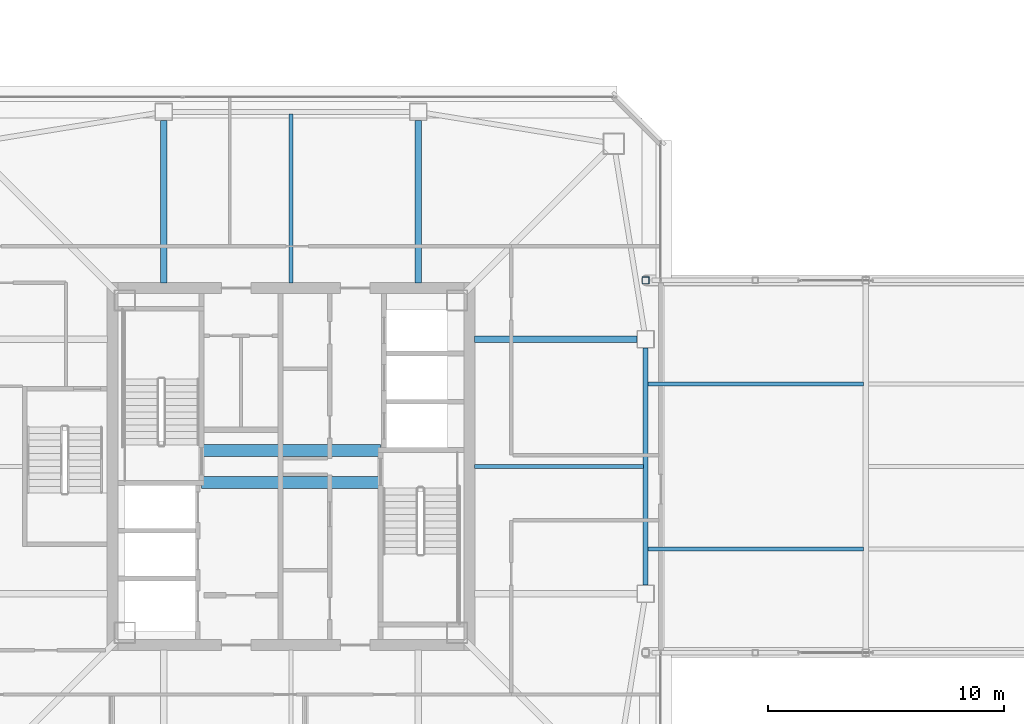
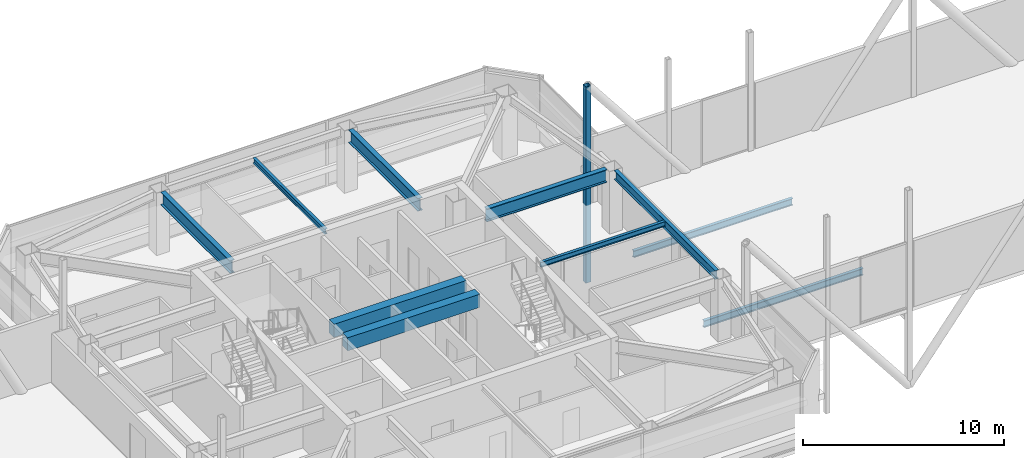
# One storey, part 15 of 53: 10 beams, 1 member.
"""IFC4 building model written with IfcOpenShell, lengths in metres."""

from ifc_helpers import new_model, si_unit, direction, frame, origin, origin_2d, place, context, subcontext, project, spatial, rectangle, hollow_rectangle, i_section, extrude, material, material_profile, profile_set, type_object, element, save


model = new_model("IFC4")

# Units and contexts
model_context = context("Model", 3, precision=1e-05, world=origin(), true_north=direction((0.0, 1.0)))
body_context = subcontext(model_context, "Body", "Model", "MODEL_VIEW")
ifc_project = project(units=[si_unit("LENGTHUNIT", "METRE"), si_unit("AREAUNIT", "SQUARE_METRE"), si_unit("VOLUMEUNIT", "CUBIC_METRE"), si_unit("PLANEANGLEUNIT", "RADIAN"), si_unit("MASSUNIT", "GRAM", prefix="KILO")], contexts=[model_context])

# Site, building, storey
site_placement = place(None, origin())
site = spatial("IfcSite", under=ifc_project, at=site_placement, CompositionType="ELEMENT")
building_placement = place(site_placement, origin())
building = spatial("IfcBuilding", under=site, at=building_placement, Name="Tashvorn Skyway Center", CompositionType="ELEMENT")
storey_placement = place(building_placement, frame((0.0, 0.0, 255.39990234375)))
storey = spatial("IfcBuildingStorey", under=building, at=storey_placement, Name="L69", CompositionType="ELEMENT", Elevation=255.39990234375)

# Beams
ifc_material_1 = material(Name="Steel ASTM A992 Grade 50", Category="steel")
ifc_material_profile_1 = material_profile(ifc_material_1, i_section(OverallWidth=0.26708984375, OverallDepth=0.779052734375, WebThickness=0.0166015625, FlangeThickness=0.030029296875, at=origin_2d()), Name="W30X148")
ifc_profile_set_1 = profile_set([ifc_material_profile_1], Name="Steel ASTM A992 Grade 50")
beam_type_1 = type_object("IfcBeamType", Name="BM-BEAM-W30X148", PredefinedType="BEAM", material=ifc_profile_set_1)
for number, where, z_axis, x_axis, name in (
    (1, (56.679931640625, 37.39990234375, 3.390625), (-1.0, 0.0, 0.0), (0.0, -1.0, 0.0), "Tower 1 L69 Primary Floor Girder FC-E2"),
    (2, (47.39990234375, 46.679931640625, 3.390625), (0.0, -1.0, 0.0), (1.0, 0.0, 0.0), "Tower 1 L69 Primary Floor Girder FC-N1"),
    (3, (36.60009765625, 46.679931640625, 3.390625), (0.0, -1.0, 0.0), (1.0, 0.0, 0.0), "Tower 1 L69 Primary Floor Girder FC-N2"),
):
    element("IfcBeam", number, at=place(storey_placement, frame(where, z_axis=z_axis, x_axis=x_axis)), inside=storey, type_object=beam_type_1, Name=name, PredefinedType="BEAM", context=body_context, shape_type="SweptSolid", body=[
        extrude(i_section(OverallWidth=0.26708984375, OverallDepth=0.779052734375, WebThickness=0.0166015625, FlangeThickness=0.030029296875, at=origin_2d()), origin(), (0.0, 0.0, 1.0), 6.89990234375),
    ])
ifc_material_profile_2 = material_profile(ifc_material_1, i_section(OverallWidth=0.1650390625, OverallDepth=0.31005859375, WebThickness=0.005859375, FlangeThickness=0.009765625, at=origin_2d()), Name="W12X26")
ifc_profile_set_2 = profile_set([ifc_material_profile_2], Name="Steel ASTM A992 Grade 50")
beam_type_2 = type_object("IfcBeamType", Name="BM-JOIST-W12X26", PredefinedType="JOIST", material=ifc_profile_set_2)
for number, where, z_axis, x_axis, name in (
    (4, (42.0, 39.7900390625, 3.625), (0.0, 1.0, 0.0), (-1.0, 0.0, 0.0), "Tower 1 L69 Secondary Composite Joist JN"),
    (5, (49.7900390625, 32.0, 3.625), (1.0, 0.0, 0.0), (0.0, 1.0, 0.0), "Tower 1 L69 Secondary Composite Joist JE"),
):
    element("IfcBeam", number, at=place(storey_placement, frame(where, z_axis=z_axis, x_axis=x_axis)), inside=storey, type_object=beam_type_2, Name=name, PredefinedType="JOIST", context=body_context, shape_type="SweptSolid", body=[
        extrude(i_section(OverallWidth=0.1650390625, OverallDepth=0.31005859375, WebThickness=0.005859375, FlangeThickness=0.009765625, at=origin_2d()), origin(), (0.0, 0.0, 1.0), 7.162353515625),
    ])
ifc_material_profile_3 = material_profile(ifc_material_1, i_section(OverallWidth=0.177978515625, OverallDepth=0.406005859375, WebThickness=0.0078125, FlangeThickness=0.0126953125, at=origin_2d()), Name="W16X40")
ifc_profile_set_3 = profile_set([ifc_material_profile_3], Name="Steel ASTM A992 Grade 50")
beam_type_3 = type_object("IfcBeamType", Name="BM-JOIST-W16X40", PredefinedType="JOIST", material=ifc_profile_set_3)
for number, where, z_axis, x_axis, name in (
    (6, (57.1494140625, 28.5, -0.4228515625), (1.0, 0.0, 0.0), (0.0, 1.0, 0.0), "Sky-Park L69 Longitudinal Joist 06-1"),
    (7, (57.1494140625, 35.5, -0.4228515625), (1.0, 0.0, 0.0), (0.0, 1.0, 0.0), "Sky-Park L69 Longitudinal Joist 06-3"),
):
    element("IfcBeam", number, at=place(storey_placement, frame(where, z_axis=z_axis, x_axis=x_axis)), inside=storey, type_object=beam_type_3, Name=name, PredefinedType="JOIST", context=body_context, shape_type="SweptSolid", body=[
        extrude(i_section(OverallWidth=0.177978515625, OverallDepth=0.406005859375, WebThickness=0.0078125, FlangeThickness=0.0126953125, at=origin_2d()), origin(), (0.0, 0.0, 1.0), 9.1435546875),
    ])
ifc_material_2 = material(Name="Concrete C50/60", Category="concrete")
ifc_material_profile_4 = material_profile(ifc_material_2, rectangle(XDim=0.5, YDim=0.800048828125, at=origin_2d()), Name="RCB500x800")
ifc_profile_set_4 = profile_set([ifc_material_profile_4], Name="Concrete C50/60")
beam_type_4 = type_object("IfcBeamType", Name="BM-LINTEL-RCB500x800", PredefinedType="LINTEL", material=ifc_profile_set_4)
for number, where, z_axis, x_axis, name in (
    (8, (38.199951171875, 32.679931640625, 3.380126953125), (1.0, 0.0, 0.0), (0.0, 1.0, 0.0), "Tower 1 L69 Core Coupling Beam CN"),
    (9, (38.199951171875, 31.320068359375, 3.380126953125), (1.0, 0.0, 0.0), (0.0, 1.0, 0.0), "Tower 1 L69 Core Coupling Beam CS"),
):
    element("IfcBeam", number, at=place(storey_placement, frame(where, z_axis=z_axis, x_axis=x_axis)), inside=storey, type_object=beam_type_4, Name=name, PredefinedType="LINTEL", context=body_context, shape_type="SweptSolid", body=[
        extrude(rectangle(XDim=0.5, YDim=0.800048828125, at=origin_2d()), origin(), (0.0, 0.0, 1.0), 7.60009765625),
    ])
ifc_material_profile_5 = material_profile(ifc_material_1, i_section(OverallWidth=0.2109375, OverallDepth=0.5390625, WebThickness=0.01171875, FlangeThickness=0.018798828125, at=origin_2d()), Name="W21X73")
ifc_profile_set_5 = profile_set([ifc_material_profile_5], Name="Steel ASTM A992 Grade 50")
beam_type_5 = type_object("IfcBeamType", Name="BM-SPANDREL-W21X73", PredefinedType="SPANDREL", material=ifc_profile_set_5)
beam_placement = place(storey_placement, frame((57.050048828125, 26.969970703125, 3.510498046875), z_axis=(0.0, 1.0, 0.0), x_axis=(-1.0, 0.0, 0.0)))
element("IfcBeam", 10, at=beam_placement, inside=storey, type_object=beam_type_5, Name="Tower 1 L69 Spandrel Beam 05", PredefinedType="SPANDREL", context=body_context, shape_type="SweptSolid", body=[
    extrude(i_section(OverallWidth=0.2109375, OverallDepth=0.5390625, WebThickness=0.01171875, FlangeThickness=0.018798828125, at=origin_2d()), origin(), (0.0, 0.0, 1.0), 10.06005859375),
])

# Member
ifc_material_3 = material(Name="Steel ASTM A572 Grade 50", Category="steel")
ifc_material_profile_6 = material_profile(ifc_material_3, hollow_rectangle(XDim=0.300048828125, YDim=0.300048828125, WallThickness=0.012451171875, at=origin_2d()), Name="HSS300x300x12.5")
ifc_profile_set_6 = profile_set([ifc_material_profile_6], Name="Steel ASTM A572 Grade 50")
member_type = type_object("IfcMemberType", Name="MEM-SP-PST-300", PredefinedType="POST", material=ifc_profile_set_6)
member_placement = place(storey_placement, frame((57.050048828125, 39.89990234375, -4.725341796875), z_axis=(0.0, 0.0, 1.0), x_axis=(1.0, 0.0, 0.0)))
element("IfcMember", 11, at=member_placement, inside=storey, type_object=member_type, Name="Sky-Park Truss 2 Vertical Post 06", PredefinedType="POST", context=body_context, shape_type="SweptSolid", body=[
    extrude(hollow_rectangle(XDim=0.300048828125, YDim=0.300048828125, WallThickness=0.012451171875, at=origin_2d()), origin(), (0.0, 0.0, 1.0), 11.919921875),
])

save(model, "model.ifc")
